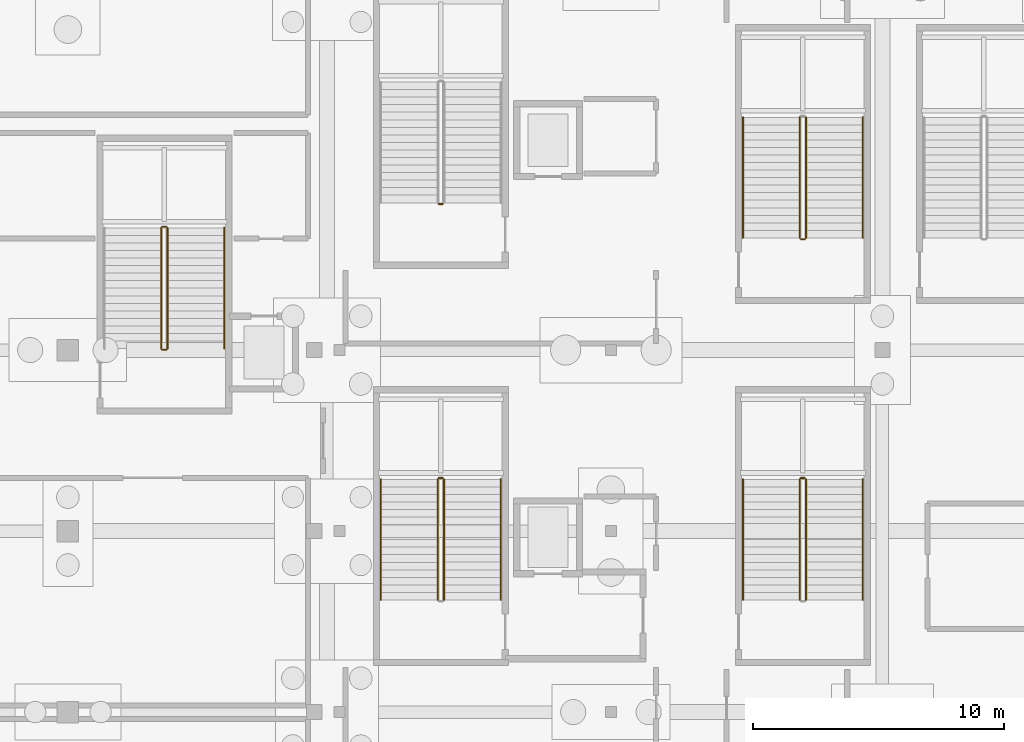
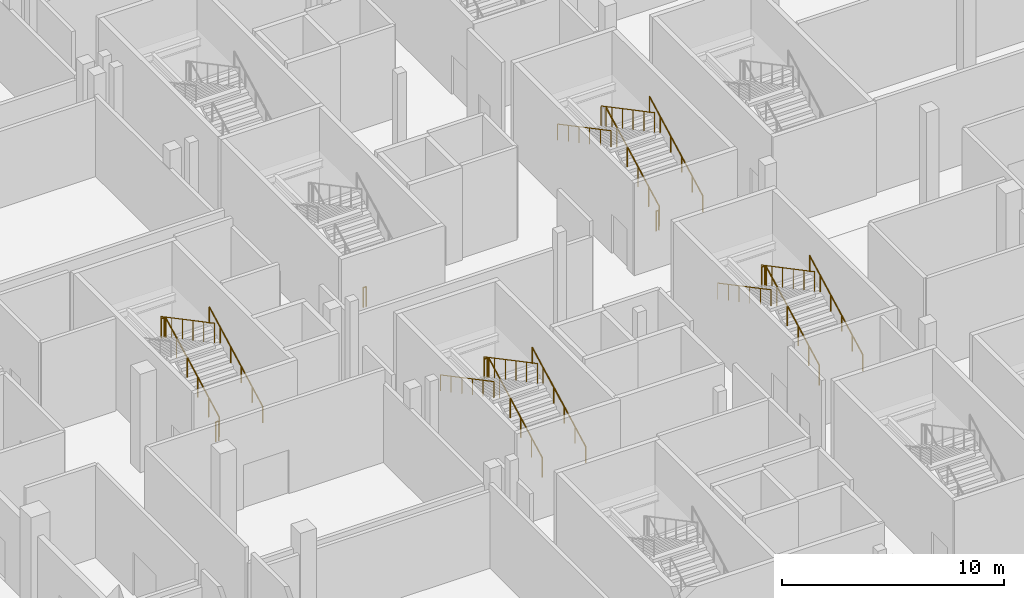
# One storey, part 60 of 89: 21 railings.
"""IFC4 building model written with IfcOpenShell, lengths in metres."""

from ifc_helpers import new_model, si_unit, direction, frame, origin, origin_2d, place, context, subcontext, project, spatial, circle, extrude, material, type_object, element, save


model = new_model("IFC4")

# Units and contexts
model_context = context("Model", 3, precision=1e-05, world=origin(), true_north=direction((0.0, 1.0)))
body_context = subcontext(model_context, "Body", "Model", "MODEL_VIEW")
ifc_project = project(units=[si_unit("LENGTHUNIT", "METRE"), si_unit("AREAUNIT", "SQUARE_METRE"), si_unit("VOLUMEUNIT", "CUBIC_METRE"), si_unit("PLANEANGLEUNIT", "RADIAN"), si_unit("MASSUNIT", "GRAM", prefix="KILO")], contexts=[model_context])

# Site, building, storey
site_placement = place(None, origin())
site = spatial("IfcSite", under=ifc_project, at=site_placement, CompositionType="ELEMENT")
building_placement = place(site_placement, origin())
building = spatial("IfcBuilding", under=site, at=building_placement, Name="Koshinbarg Plaza Stadium", CompositionType="ELEMENT")
storey_placement = place(building_placement, origin())
storey = spatial("IfcBuildingStorey", under=building, at=storey_placement, Name="L00", CompositionType="ELEMENT", Elevation=0.0)

# Railings
ifc_material_1 = material(Name="Galvanized painted steel guardrail", Category="steel")
railing_type_1 = type_object("IfcRailingType", Name="RL-GUARD-1100", PredefinedType="GUARDRAIL", material=ifc_material_1)
railing_1_placement = place(storey_placement, frame((28.760009765625, 44.360107421875, 0.158935546875)))
element("IfcRailing", 1, at=railing_1_placement, inside=storey, type_object=railing_type_1, Name="L00 C02 stair guard 1", PredefinedType="GUARDRAIL", context=body_context, shape_type="SweptSolid", body=[
    extrude(circle(Radius=0.02392578125, at=origin_2d()), frame((0.0, 0.0, 1.076171875), z_axis=(0.0, 0.883792290195, 0.467879458614), x_axis=(-1.0, 0.0, 0.0)), (0.0, 0.0, 1.0), 5.430908203125),
    extrude(circle(Radius=0.02099609375, at=origin_2d()), origin(), (0.0, 0.0, 1.0), 1.052001953125),
    extrude(circle(Radius=0.02099609375, at=origin_2d()), frame((0.0, 0.9599609375, 0.50830078125)), (0.0, 0.0, 1.0), 1.052001953125),
    extrude(circle(Radius=0.02099609375, at=origin_2d()), frame((0.0, 1.919921875, 1.016357421875)), (0.0, 0.0, 1.0), 1.052001953125),
    extrude(circle(Radius=0.02099609375, at=origin_2d()), frame((0.0, 2.8798828125, 1.524658203125)), (0.0, 0.0, 1.0), 1.052001953125),
    extrude(circle(Radius=0.02099609375, at=origin_2d()), frame((0.0, 3.83984375, 2.03271484375)), (0.0, 0.0, 1.0), 1.052001953125),
    extrude(circle(Radius=0.02099609375, at=origin_2d()), frame((0.0, 4.7998046875, 2.541015625)), (0.0, 0.0, 1.0), 1.052001953125),
])
railing_2_placement = place(storey_placement, frame((28.7099609375, 49.2099609375, 2.699951171875)))
element("IfcRailing", 2, at=railing_2_placement, inside=storey, type_object=railing_type_1, Name="L00 C02 stair guard 2", PredefinedType="GUARDRAIL", context=body_context, shape_type="SweptSolid", body=[
    extrude(circle(Radius=0.02392578125, at=origin_2d()), frame((0.0, 0.0, 1.076171875), z_axis=(-1.0, 0.0, 0.0), x_axis=(0.0, -1.0, 0.0)), (0.0, 0.0, 1.0), 0.14990234375),
    extrude(circle(Radius=0.02099609375, at=origin_2d()), origin(), (0.0, 0.0, 1.0), 1.052001953125),
    extrude(circle(Radius=0.02099609375, at=origin_2d()), frame((-0.14990234375, 0.0, 0.0)), (0.0, 0.0, 1.0), 1.052001953125),
])
railing_3_placement = place(storey_placement, frame((28.510009765625, 49.159912109375, 2.85888671875)))
element("IfcRailing", 3, at=railing_3_placement, inside=storey, type_object=railing_type_1, Name="L00 C02 stair guard 3", PredefinedType="GUARDRAIL", context=body_context, shape_type="SweptSolid", body=[
    extrude(circle(Radius=0.02392578125, at=origin_2d()), frame((0.0, 0.0, 1.076171875), z_axis=(0.0, -0.883792290195, 0.467879458614), x_axis=(1.0, 0.0, 0.0)), (0.0, 0.0, 1.0), 5.430908203125),
    extrude(circle(Radius=0.02099609375, at=origin_2d()), origin(), (0.0, 0.0, 1.0), 1.052001953125),
    extrude(circle(Radius=0.02099609375, at=origin_2d()), frame((0.0, -0.9599609375, 0.50830078125)), (0.0, 0.0, 1.0), 1.052001953125),
    extrude(circle(Radius=0.02099609375, at=origin_2d()), frame((0.0, -1.919921875, 1.016357421875)), (0.0, 0.0, 1.0), 1.052001953125),
    extrude(circle(Radius=0.02099609375, at=origin_2d()), frame((0.0, -2.8798828125, 1.524658203125)), (0.0, 0.0, 1.0), 1.052001953125),
    extrude(circle(Radius=0.02099609375, at=origin_2d()), frame((0.0, -3.83984375, 2.03271484375)), (0.0, 0.0, 1.0), 1.052001953125),
    extrude(circle(Radius=0.02099609375, at=origin_2d()), frame((0.0, -4.7998046875, 2.541015625)), (0.0, 0.0, 1.0), 1.052001953125),
])
railing_4_placement = place(storey_placement, frame((28.7099609375, 60.110107421875, 0.0)))
element("IfcRailing", 4, at=railing_4_placement, inside=storey, type_object=railing_type_1, Name="L00 C03 stair guard 4", PredefinedType="GUARDRAIL", context=body_context, shape_type="SweptSolid", body=[
    extrude(circle(Radius=0.02392578125, at=origin_2d()), frame((0.0, 0.0, 1.076171875), z_axis=(-1.0, 0.0, 0.0), x_axis=(0.0, -1.0, 0.0)), (0.0, 0.0, 1.0), 0.14990234375),
    extrude(circle(Radius=0.02099609375, at=origin_2d()), origin(), (0.0, 0.0, 1.0), 1.052001953125),
    extrude(circle(Radius=0.02099609375, at=origin_2d()), frame((-0.14990234375, 0.0, 0.0)), (0.0, 0.0, 1.0), 1.052001953125),
])
railing_5_placement = place(storey_placement, frame((17.760009765625, 54.360107421875, 0.158935546875)))
element("IfcRailing", 5, at=railing_5_placement, inside=storey, type_object=railing_type_1, Name="L00 C16 stair guard 1", PredefinedType="GUARDRAIL", context=body_context, shape_type="SweptSolid", body=[
    extrude(circle(Radius=0.02392578125, at=origin_2d()), frame((0.0, 0.0, 1.076171875), z_axis=(0.0, 0.883792290195, 0.467879458614), x_axis=(-1.0, 0.0, 0.0)), (0.0, 0.0, 1.0), 5.430908203125),
    extrude(circle(Radius=0.02099609375, at=origin_2d()), origin(), (0.0, 0.0, 1.0), 1.052001953125),
    extrude(circle(Radius=0.02099609375, at=origin_2d()), frame((0.0, 0.9599609375, 0.50830078125)), (0.0, 0.0, 1.0), 1.052001953125),
    extrude(circle(Radius=0.02099609375, at=origin_2d()), frame((0.0, 1.919921875, 1.016357421875)), (0.0, 0.0, 1.0), 1.052001953125),
    extrude(circle(Radius=0.02099609375, at=origin_2d()), frame((0.0, 2.8798828125, 1.524658203125)), (0.0, 0.0, 1.0), 1.052001953125),
    extrude(circle(Radius=0.02099609375, at=origin_2d()), frame((0.0, 3.83984375, 2.03271484375)), (0.0, 0.0, 1.0), 1.052001953125),
    extrude(circle(Radius=0.02099609375, at=origin_2d()), frame((0.0, 4.7998046875, 2.541015625)), (0.0, 0.0, 1.0), 1.052001953125),
])
railing_6_placement = place(storey_placement, frame((17.7099609375, 59.2099609375, 2.699951171875)))
element("IfcRailing", 6, at=railing_6_placement, inside=storey, type_object=railing_type_1, Name="L00 C16 stair guard 2", PredefinedType="GUARDRAIL", context=body_context, shape_type="SweptSolid", body=[
    extrude(circle(Radius=0.02392578125, at=origin_2d()), frame((0.0, 0.0, 1.076171875), z_axis=(-1.0, 0.0, 0.0), x_axis=(0.0, -1.0, 0.0)), (0.0, 0.0, 1.0), 0.14990234375),
    extrude(circle(Radius=0.02099609375, at=origin_2d()), origin(), (0.0, 0.0, 1.0), 1.052001953125),
    extrude(circle(Radius=0.02099609375, at=origin_2d()), frame((-0.14990234375, 0.0, 0.0)), (0.0, 0.0, 1.0), 1.052001953125),
])
railing_7_placement = place(storey_placement, frame((17.510009765625, 59.159912109375, 2.85888671875)))
element("IfcRailing", 7, at=railing_7_placement, inside=storey, type_object=railing_type_1, Name="L00 C16 stair guard 3", PredefinedType="GUARDRAIL", context=body_context, shape_type="SweptSolid", body=[
    extrude(circle(Radius=0.02392578125, at=origin_2d()), frame((0.0, 0.0, 1.076171875), z_axis=(0.0, -0.883792290195, 0.467879458614), x_axis=(1.0, 0.0, 0.0)), (0.0, 0.0, 1.0), 5.430908203125),
    extrude(circle(Radius=0.02099609375, at=origin_2d()), origin(), (0.0, 0.0, 1.0), 1.052001953125),
    extrude(circle(Radius=0.02099609375, at=origin_2d()), frame((0.0, -0.9599609375, 0.50830078125)), (0.0, 0.0, 1.0), 1.052001953125),
    extrude(circle(Radius=0.02099609375, at=origin_2d()), frame((0.0, -1.919921875, 1.016357421875)), (0.0, 0.0, 1.0), 1.052001953125),
    extrude(circle(Radius=0.02099609375, at=origin_2d()), frame((0.0, -2.8798828125, 1.524658203125)), (0.0, 0.0, 1.0), 1.052001953125),
    extrude(circle(Radius=0.02099609375, at=origin_2d()), frame((0.0, -3.83984375, 2.03271484375)), (0.0, 0.0, 1.0), 1.052001953125),
    extrude(circle(Radius=0.02099609375, at=origin_2d()), frame((0.0, -4.7998046875, 2.541015625)), (0.0, 0.0, 1.0), 1.052001953125),
])
railing_8_placement = place(storey_placement, frame((17.7099609375, 54.31005859375, 0.0)))
element("IfcRailing", 8, at=railing_8_placement, inside=storey, type_object=railing_type_1, Name="L00 C16 stair guard 4", PredefinedType="GUARDRAIL", context=body_context, shape_type="SweptSolid", body=[
    extrude(circle(Radius=0.02392578125, at=origin_2d()), frame((0.0, 0.0, 1.076171875), z_axis=(-1.0, 0.0, 0.0), x_axis=(0.0, -1.0, 0.0)), (0.0, 0.0, 1.0), 0.14990234375),
    extrude(circle(Radius=0.02099609375, at=origin_2d()), origin(), (0.0, 0.0, 1.0), 1.052001953125),
    extrude(circle(Radius=0.02099609375, at=origin_2d()), frame((-0.14990234375, 0.0, 0.0)), (0.0, 0.0, 1.0), 1.052001953125),
])
railing_9_placement = place(storey_placement, frame((43.159912109375, 44.360107421875, 0.158935546875)))
element("IfcRailing", 9, at=railing_9_placement, inside=storey, type_object=railing_type_1, Name="L00 VX02 stair guard 1", PredefinedType="GUARDRAIL", context=body_context, shape_type="SweptSolid", body=[
    extrude(circle(Radius=0.02392578125, at=origin_2d()), frame((0.0, 0.0, 1.076171875), z_axis=(0.0, 0.883792290195, 0.467879458614), x_axis=(-1.0, 0.0, 0.0)), (0.0, 0.0, 1.0), 5.430908203125),
    extrude(circle(Radius=0.02099609375, at=origin_2d()), origin(), (0.0, 0.0, 1.0), 1.052001953125),
    extrude(circle(Radius=0.02099609375, at=origin_2d()), frame((0.0, 0.9599609375, 0.50830078125)), (0.0, 0.0, 1.0), 1.052001953125),
    extrude(circle(Radius=0.02099609375, at=origin_2d()), frame((0.0, 1.919921875, 1.016357421875)), (0.0, 0.0, 1.0), 1.052001953125),
    extrude(circle(Radius=0.02099609375, at=origin_2d()), frame((0.0, 2.8798828125, 1.524658203125)), (0.0, 0.0, 1.0), 1.052001953125),
    extrude(circle(Radius=0.02099609375, at=origin_2d()), frame((0.0, 3.83984375, 2.03271484375)), (0.0, 0.0, 1.0), 1.052001953125),
    extrude(circle(Radius=0.02099609375, at=origin_2d()), frame((0.0, 4.7998046875, 2.541015625)), (0.0, 0.0, 1.0), 1.052001953125),
])
railing_10_placement = place(storey_placement, frame((43.110107421875, 49.2099609375, 2.699951171875)))
element("IfcRailing", 10, at=railing_10_placement, inside=storey, type_object=railing_type_1, Name="L00 VX02 stair guard 2", PredefinedType="GUARDRAIL", context=body_context, shape_type="SweptSolid", body=[
    extrude(circle(Radius=0.02392578125, at=origin_2d()), frame((0.0, 0.0, 1.076171875), z_axis=(-1.0, 0.0, 0.0), x_axis=(0.0, -1.0, 0.0)), (0.0, 0.0, 1.0), 0.150146484375),
    extrude(circle(Radius=0.02099609375, at=origin_2d()), origin(), (0.0, 0.0, 1.0), 1.052001953125),
    extrude(circle(Radius=0.02099609375, at=origin_2d()), frame((-0.150146484375, 0.0, 0.0)), (0.0, 0.0, 1.0), 1.052001953125),
])
railing_11_placement = place(storey_placement, frame((42.909912109375, 49.159912109375, 2.85888671875)))
element("IfcRailing", 11, at=railing_11_placement, inside=storey, type_object=railing_type_1, Name="L00 VX02 stair guard 3", PredefinedType="GUARDRAIL", context=body_context, shape_type="SweptSolid", body=[
    extrude(circle(Radius=0.02392578125, at=origin_2d()), frame((0.0, 0.0, 1.076171875), z_axis=(0.0, -0.883792290195, 0.467879458614), x_axis=(1.0, 0.0, 0.0)), (0.0, 0.0, 1.0), 5.430908203125),
    extrude(circle(Radius=0.02099609375, at=origin_2d()), origin(), (0.0, 0.0, 1.0), 1.052001953125),
    extrude(circle(Radius=0.02099609375, at=origin_2d()), frame((0.0, -0.9599609375, 0.50830078125)), (0.0, 0.0, 1.0), 1.052001953125),
    extrude(circle(Radius=0.02099609375, at=origin_2d()), frame((0.0, -1.919921875, 1.016357421875)), (0.0, 0.0, 1.0), 1.052001953125),
    extrude(circle(Radius=0.02099609375, at=origin_2d()), frame((0.0, -2.8798828125, 1.524658203125)), (0.0, 0.0, 1.0), 1.052001953125),
    extrude(circle(Radius=0.02099609375, at=origin_2d()), frame((0.0, -3.83984375, 2.03271484375)), (0.0, 0.0, 1.0), 1.052001953125),
    extrude(circle(Radius=0.02099609375, at=origin_2d()), frame((0.0, -4.7998046875, 2.541015625)), (0.0, 0.0, 1.0), 1.052001953125),
])
railing_12_placement = place(storey_placement, frame((43.159912109375, 58.760009765625, 0.158935546875)))
element("IfcRailing", 12, at=railing_12_placement, inside=storey, type_object=railing_type_1, Name="L00 VX03 stair guard 1", PredefinedType="GUARDRAIL", context=body_context, shape_type="SweptSolid", body=[
    extrude(circle(Radius=0.02392578125, at=origin_2d()), frame((0.0, 0.0, 1.076171875), z_axis=(0.0, 0.883802130504, 0.467860870469), x_axis=(-1.0, 0.0, 0.0)), (0.0, 0.0, 1.0), 5.43115234375),
    extrude(circle(Radius=0.02099609375, at=origin_2d()), origin(), (0.0, 0.0, 1.0), 1.052001953125),
    extrude(circle(Radius=0.02099609375, at=origin_2d()), frame((0.0, 0.9599609375, 0.50830078125)), (0.0, 0.0, 1.0), 1.052001953125),
    extrude(circle(Radius=0.02099609375, at=origin_2d()), frame((0.0, 1.919921875, 1.016357421875)), (0.0, 0.0, 1.0), 1.052001953125),
    extrude(circle(Radius=0.02099609375, at=origin_2d()), frame((0.0, 2.880126953125, 1.524658203125)), (0.0, 0.0, 1.0), 1.052001953125),
    extrude(circle(Radius=0.02099609375, at=origin_2d()), frame((0.0, 3.840087890625, 2.03271484375)), (0.0, 0.0, 1.0), 1.052001953125),
    extrude(circle(Radius=0.02099609375, at=origin_2d()), frame((0.0, 4.800048828125, 2.541015625)), (0.0, 0.0, 1.0), 1.052001953125),
])
railing_13_placement = place(storey_placement, frame((42.909912109375, 63.56005859375, 2.85888671875)))
element("IfcRailing", 13, at=railing_13_placement, inside=storey, type_object=railing_type_1, Name="L00 VX03 stair guard 3", PredefinedType="GUARDRAIL", context=body_context, shape_type="SweptSolid", body=[
    extrude(circle(Radius=0.02392578125, at=origin_2d()), frame((0.0, 0.0, 1.076171875), z_axis=(0.0, -0.883802130504, 0.467860870469), x_axis=(1.0, 0.0, 0.0)), (0.0, 0.0, 1.0), 5.43115234375),
    extrude(circle(Radius=0.02099609375, at=origin_2d()), origin(), (0.0, 0.0, 1.0), 1.052001953125),
    extrude(circle(Radius=0.02099609375, at=origin_2d()), frame((0.0, -0.9599609375, 0.50830078125)), (0.0, 0.0, 1.0), 1.052001953125),
    extrude(circle(Radius=0.02099609375, at=origin_2d()), frame((0.0, -1.919921875, 1.016357421875)), (0.0, 0.0, 1.0), 1.052001953125),
    extrude(circle(Radius=0.02099609375, at=origin_2d()), frame((0.0, -2.880126953125, 1.524658203125)), (0.0, 0.0, 1.0), 1.052001953125),
    extrude(circle(Radius=0.02099609375, at=origin_2d()), frame((0.0, -3.840087890625, 2.03271484375)), (0.0, 0.0, 1.0), 1.052001953125),
    extrude(circle(Radius=0.02099609375, at=origin_2d()), frame((0.0, -4.800048828125, 2.541015625)), (0.0, 0.0, 1.0), 1.052001953125),
])
railing_14_placement = place(storey_placement, frame((43.110107421875, 58.7099609375, 0.0)))
element("IfcRailing", 14, at=railing_14_placement, inside=storey, type_object=railing_type_1, Name="L00 VX03 stair guard 4", PredefinedType="GUARDRAIL", context=body_context, shape_type="SweptSolid", body=[
    extrude(circle(Radius=0.02392578125, at=origin_2d()), frame((0.0, 0.0, 1.076171875), z_axis=(-1.0, 0.0, 0.0), x_axis=(0.0, -1.0, 0.0)), (0.0, 0.0, 1.0), 0.150146484375),
    extrude(circle(Radius=0.02099609375, at=origin_2d()), origin(), (0.0, 0.0, 1.0), 1.052001953125),
    extrude(circle(Radius=0.02099609375, at=origin_2d()), frame((-0.150146484375, 0.0, 0.0)), (0.0, 0.0, 1.0), 1.052001953125),
])
ifc_material_2 = material(Name="Brushed stainless steel handrail", Category="steel")
railing_type_2 = type_object("IfcRailingType", Name="RL-HAND-900", PredefinedType="HANDRAIL", material=ifc_material_2)
railing_15_placement = place(storey_placement, frame((31.02001953125, 44.360107421875, 0.158935546875)))
element("IfcRailing", 15, at=railing_15_placement, inside=storey, type_object=railing_type_2, Name="L00 C02 stair handrail 1", PredefinedType="HANDRAIL", context=body_context, shape_type="SweptSolid", body=[
    extrude(circle(Radius=0.02392578125, at=origin_2d()), frame((0.0, 0.0, 0.8759765625), z_axis=(0.0, 0.883792290195, 0.467879458614), x_axis=(-1.0, 0.0, 0.0)), (0.0, 0.0, 1.0), 5.430908203125),
    extrude(circle(Radius=0.02099609375, at=origin_2d()), origin(), (0.0, 0.0, 1.0), 0.851806640625),
    extrude(circle(Radius=0.02099609375, at=origin_2d()), frame((0.0, 0.9599609375, 0.50830078125)), (0.0, 0.0, 1.0), 0.851806640625),
    extrude(circle(Radius=0.02099609375, at=origin_2d()), frame((0.0, 1.919921875, 1.016357421875)), (0.0, 0.0, 1.0), 0.851806640625),
    extrude(circle(Radius=0.02099609375, at=origin_2d()), frame((0.0, 2.8798828125, 1.524658203125)), (0.0, 0.0, 1.0), 0.851806640625),
    extrude(circle(Radius=0.02099609375, at=origin_2d()), frame((0.0, 3.83984375, 2.03271484375)), (0.0, 0.0, 1.0), 0.851806640625),
    extrude(circle(Radius=0.02099609375, at=origin_2d()), frame((0.0, 4.7998046875, 2.541015625)), (0.0, 0.0, 1.0), 0.851806640625),
])
railing_16_placement = place(storey_placement, frame((26.25, 49.159912109375, 2.85888671875)))
element("IfcRailing", 16, at=railing_16_placement, inside=storey, type_object=railing_type_2, Name="L00 C02 stair handrail 2", PredefinedType="HANDRAIL", context=body_context, shape_type="SweptSolid", body=[
    extrude(circle(Radius=0.02392578125, at=origin_2d()), frame((0.0, 0.0, 0.8759765625), z_axis=(0.0, -0.883792290195, 0.467879458614), x_axis=(1.0, 0.0, 0.0)), (0.0, 0.0, 1.0), 5.430908203125),
    extrude(circle(Radius=0.02099609375, at=origin_2d()), origin(), (0.0, 0.0, 1.0), 0.851806640625),
    extrude(circle(Radius=0.02099609375, at=origin_2d()), frame((0.0, -0.9599609375, 0.50830078125)), (0.0, 0.0, 1.0), 0.851806640625),
    extrude(circle(Radius=0.02099609375, at=origin_2d()), frame((0.0, -1.919921875, 1.016357421875)), (0.0, 0.0, 1.0), 0.851806640625),
    extrude(circle(Radius=0.02099609375, at=origin_2d()), frame((0.0, -2.8798828125, 1.524658203125)), (0.0, 0.0, 1.0), 0.851806640625),
    extrude(circle(Radius=0.02099609375, at=origin_2d()), frame((0.0, -3.83984375, 2.03271484375)), (0.0, 0.0, 1.0), 0.851806640625),
    extrude(circle(Radius=0.02099609375, at=origin_2d()), frame((0.0, -4.7998046875, 2.541015625)), (0.0, 0.0, 1.0), 0.851806640625),
])
for number, where, name in (
    (17, (20.02001953125, 54.360107421875, 0.158935546875), "L00 C16 stair handrail 1"),
    (18, (45.419921875, 44.360107421875, 0.158935546875), "L00 VX02 stair handrail 1"),
):
    element("IfcRailing", number, at=place(storey_placement, frame(where)), inside=storey, type_object=railing_type_2, Name=name, PredefinedType="HANDRAIL", context=body_context, shape_type="SweptSolid", body=[
        extrude(circle(Radius=0.02392578125, at=origin_2d()), frame((0.0, 0.0, 0.8759765625), z_axis=(0.0, 0.883792290195, 0.467879458614), x_axis=(-1.0, 0.0, 0.0)), (0.0, 0.0, 1.0), 5.430908203125),
        extrude(circle(Radius=0.02099609375, at=origin_2d()), origin(), (0.0, 0.0, 1.0), 0.851806640625),
        extrude(circle(Radius=0.02099609375, at=origin_2d()), frame((0.0, 0.9599609375, 0.50830078125)), (0.0, 0.0, 1.0), 0.851806640625),
        extrude(circle(Radius=0.02099609375, at=origin_2d()), frame((0.0, 1.919921875, 1.016357421875)), (0.0, 0.0, 1.0), 0.851806640625),
        extrude(circle(Radius=0.02099609375, at=origin_2d()), frame((0.0, 2.8798828125, 1.524658203125)), (0.0, 0.0, 1.0), 0.851806640625),
        extrude(circle(Radius=0.02099609375, at=origin_2d()), frame((0.0, 3.83984375, 2.03271484375)), (0.0, 0.0, 1.0), 0.851806640625),
        extrude(circle(Radius=0.02099609375, at=origin_2d()), frame((0.0, 4.7998046875, 2.541015625)), (0.0, 0.0, 1.0), 0.851806640625),
    ])
railing_17_placement = place(storey_placement, frame((40.64990234375, 49.159912109375, 2.85888671875)))
element("IfcRailing", 19, at=railing_17_placement, inside=storey, type_object=railing_type_2, Name="L00 VX02 stair handrail 2", PredefinedType="HANDRAIL", context=body_context, shape_type="SweptSolid", body=[
    extrude(circle(Radius=0.02392578125, at=origin_2d()), frame((0.0, 0.0, 0.8759765625), z_axis=(0.0, -0.883792290195, 0.467879458614), x_axis=(1.0, 0.0, 0.0)), (0.0, 0.0, 1.0), 5.430908203125),
    extrude(circle(Radius=0.02099609375, at=origin_2d()), origin(), (0.0, 0.0, 1.0), 0.851806640625),
    extrude(circle(Radius=0.02099609375, at=origin_2d()), frame((0.0, -0.9599609375, 0.50830078125)), (0.0, 0.0, 1.0), 0.851806640625),
    extrude(circle(Radius=0.02099609375, at=origin_2d()), frame((0.0, -1.919921875, 1.016357421875)), (0.0, 0.0, 1.0), 0.851806640625),
    extrude(circle(Radius=0.02099609375, at=origin_2d()), frame((0.0, -2.8798828125, 1.524658203125)), (0.0, 0.0, 1.0), 0.851806640625),
    extrude(circle(Radius=0.02099609375, at=origin_2d()), frame((0.0, -3.83984375, 2.03271484375)), (0.0, 0.0, 1.0), 0.851806640625),
    extrude(circle(Radius=0.02099609375, at=origin_2d()), frame((0.0, -4.7998046875, 2.541015625)), (0.0, 0.0, 1.0), 0.851806640625),
])
railing_18_placement = place(storey_placement, frame((45.419921875, 58.760009765625, 0.158935546875)))
element("IfcRailing", 20, at=railing_18_placement, inside=storey, type_object=railing_type_2, Name="L00 VX03 stair handrail 1", PredefinedType="HANDRAIL", context=body_context, shape_type="SweptSolid", body=[
    extrude(circle(Radius=0.02392578125, at=origin_2d()), frame((0.0, 0.0, 0.8759765625), z_axis=(0.0, 0.883802130504, 0.467860870469), x_axis=(-1.0, 0.0, 0.0)), (0.0, 0.0, 1.0), 5.43115234375),
    extrude(circle(Radius=0.02099609375, at=origin_2d()), origin(), (0.0, 0.0, 1.0), 0.851806640625),
    extrude(circle(Radius=0.02099609375, at=origin_2d()), frame((0.0, 0.9599609375, 0.50830078125)), (0.0, 0.0, 1.0), 0.851806640625),
    extrude(circle(Radius=0.02099609375, at=origin_2d()), frame((0.0, 1.919921875, 1.016357421875)), (0.0, 0.0, 1.0), 0.851806640625),
    extrude(circle(Radius=0.02099609375, at=origin_2d()), frame((0.0, 2.880126953125, 1.524658203125)), (0.0, 0.0, 1.0), 0.851806640625),
    extrude(circle(Radius=0.02099609375, at=origin_2d()), frame((0.0, 3.840087890625, 2.03271484375)), (0.0, 0.0, 1.0), 0.851806640625),
    extrude(circle(Radius=0.02099609375, at=origin_2d()), frame((0.0, 4.800048828125, 2.541015625)), (0.0, 0.0, 1.0), 0.851806640625),
])
railing_19_placement = place(storey_placement, frame((40.64990234375, 63.56005859375, 2.85888671875)))
element("IfcRailing", 21, at=railing_19_placement, inside=storey, type_object=railing_type_2, Name="L00 VX03 stair handrail 2", PredefinedType="HANDRAIL", context=body_context, shape_type="SweptSolid", body=[
    extrude(circle(Radius=0.02392578125, at=origin_2d()), frame((0.0, 0.0, 0.8759765625), z_axis=(0.0, -0.883802130504, 0.467860870469), x_axis=(1.0, 0.0, 0.0)), (0.0, 0.0, 1.0), 5.43115234375),
    extrude(circle(Radius=0.02099609375, at=origin_2d()), origin(), (0.0, 0.0, 1.0), 0.851806640625),
    extrude(circle(Radius=0.02099609375, at=origin_2d()), frame((0.0, -0.9599609375, 0.50830078125)), (0.0, 0.0, 1.0), 0.851806640625),
    extrude(circle(Radius=0.02099609375, at=origin_2d()), frame((0.0, -1.919921875, 1.016357421875)), (0.0, 0.0, 1.0), 0.851806640625),
    extrude(circle(Radius=0.02099609375, at=origin_2d()), frame((0.0, -2.880126953125, 1.524658203125)), (0.0, 0.0, 1.0), 0.851806640625),
    extrude(circle(Radius=0.02099609375, at=origin_2d()), frame((0.0, -3.840087890625, 2.03271484375)), (0.0, 0.0, 1.0), 0.851806640625),
    extrude(circle(Radius=0.02099609375, at=origin_2d()), frame((0.0, -4.800048828125, 2.541015625)), (0.0, 0.0, 1.0), 0.851806640625),
])

save(model, "model.ifc")
